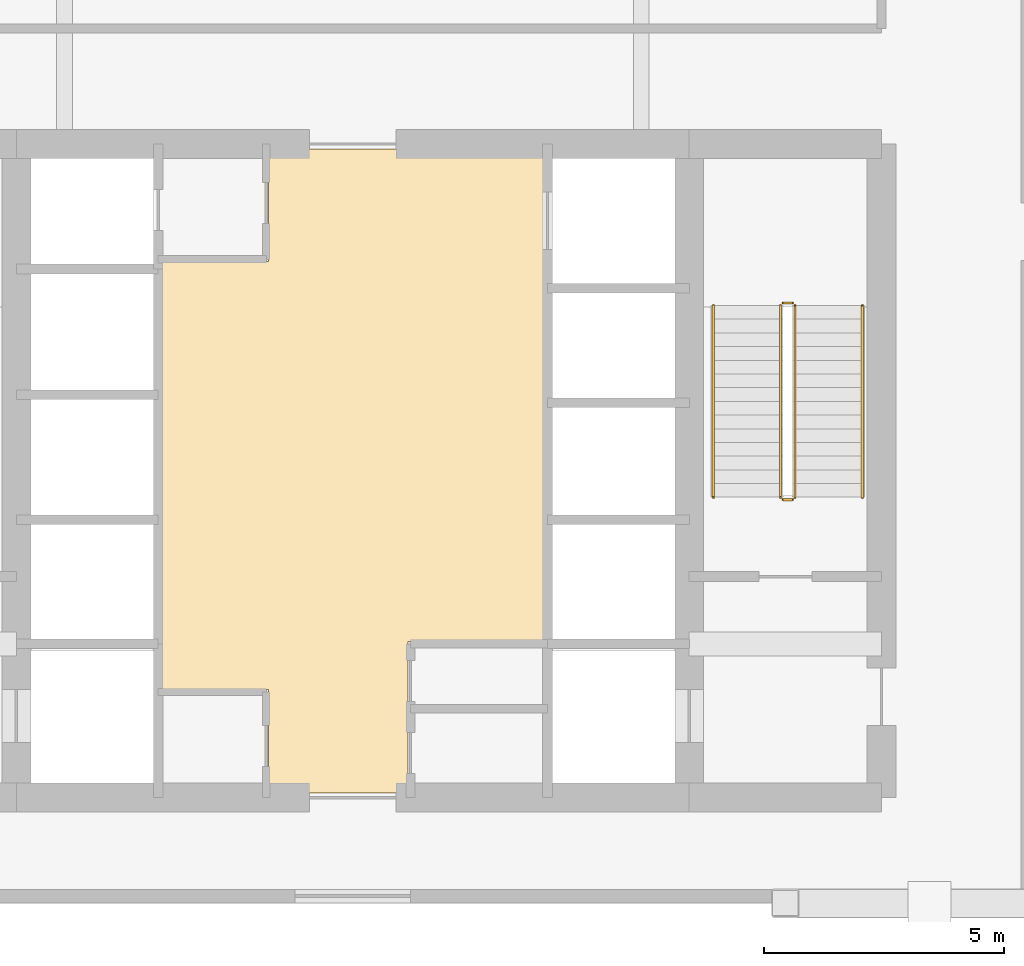
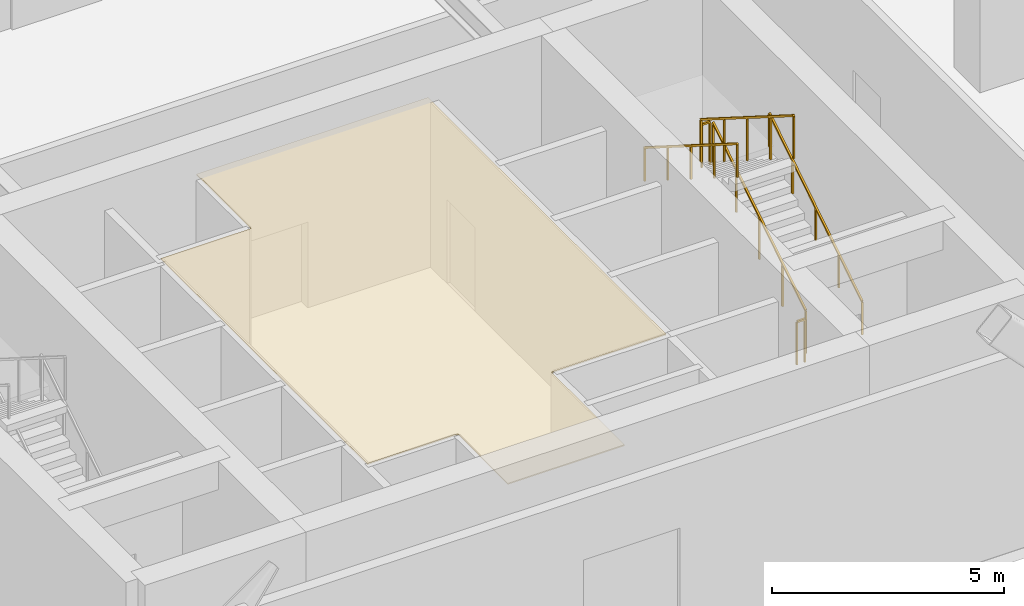
# One storey, part 27 of 28: 6 railings, 1 covering.
"""IFC4 building model written with IfcOpenShell, lengths in metres."""

from ifc_helpers import new_model, si_unit, direction, frame, origin, origin_2d, place, context, subcontext, project, spatial, polyline, rectangle, outline, extrude, material, layer, layer_set, type_object, element, save


model = new_model("IFC4")

# Units and contexts
model_context = context("Model", 3, precision=1e-05, world=origin(), true_north=direction((0.0, 1.0)))
body_context = subcontext(model_context, "Body", "Model", "MODEL_VIEW")
ifc_project = project(units=[si_unit("LENGTHUNIT", "METRE"), si_unit("AREAUNIT", "SQUARE_METRE"), si_unit("VOLUMEUNIT", "CUBIC_METRE"), si_unit("PLANEANGLEUNIT", "RADIAN"), si_unit("MASSUNIT", "GRAM", prefix="KILO")], contexts=[model_context])

# Site, building, storey
site_placement = place(None, origin())
site = spatial("IfcSite", under=ifc_project, at=site_placement, CompositionType="ELEMENT")
building_placement = place(site_placement, origin())
building = spatial("IfcBuilding", under=site, at=building_placement, Name="Sarneth Arch Tower", CompositionType="ELEMENT")
storey_placement = place(building_placement, frame((0.0, 0.0, 6.0)))
storey = spatial("IfcBuildingStorey", under=building, at=storey_placement, Name="L01", CompositionType="ELEMENT", Elevation=6.0)

# Covering
ifc_material_1 = material(Name="Perforated acoustic gypsum ceiling board")
ifc_layer = layer(ifc_material_1, 0.02490234375)
ifc_layer_set = layer_set([ifc_layer], Name="Perforated acoustic gypsum ceiling board")
covering_type = type_object("IfcCoveringType", Name="COV-CEIL-GYP", PredefinedType="CEILING", material=ifc_layer_set)
covering_placement = place(storey_placement, frame((0.0, 0.0, 4.2900390625)))
element("IfcCovering", 1, at=covering_placement, inside=storey, type_object=covering_type, Name="L01 Lift lobby acoustic ceiling", PredefinedType="CEILING", context=body_context, shape_type="SweptSolid", body=[
    extrude(outline(polyline([(49.14990234375, 38.449951171875), (49.14990234375, 35.300048828125), (46.25, 35.300048828125), (46.25, 37.449951171875), (44.0, 37.449951171875), (44.0, 46.35009765625), (46.25, 46.35009765625), (46.25, 48.699951171875), (52.0, 48.699951171875), (52.0, 38.449951171875), (49.14990234375, 38.449951171875)])), origin(), (0.0, 0.0, 1.0), 0.030029296875),
])

# Railings
ifc_material_2 = material(Name="Brushed Stainless Steel 304 tubular handrail", Category="steel")
railing_type_1 = type_object("IfcRailingType", Name="RAIL-HANDRAIL-900", PredefinedType="HANDRAIL", material=ifc_material_2)
railing_1_placement = place(storey_placement, frame((58.60009765625, 41.449951171875, 0.179931640625)))
element("IfcRailing", 2, at=railing_1_placement, inside=storey, type_object=railing_type_1, Name="L01 ST-2 stair handrail 1", PredefinedType="HANDRAIL", context=body_context, shape_type="SweptSolid", body=[
    extrude(rectangle(XDim=0.048095703125, YDim=0.048095703125, at=origin_2d()), frame((0.0, 0.0, 0.8759765625), z_axis=(0.0, 0.845486444383, 0.533996884227), x_axis=(-1.0, 0.0, 0.0)), (0.0, 0.0, 1.0), 4.71923828125),
    extrude(rectangle(XDim=0.0419921875, YDim=0.0419921875, at=origin_2d()), origin(), (0.0, 0.0, 1.0), 0.851806640625),
    extrude(rectangle(XDim=0.0419921875, YDim=0.0419921875, at=origin_2d()), frame((0.0, 0.99755859375, 0.6298828125)), (0.0, 0.0, 1.0), 0.851806640625),
    extrude(rectangle(XDim=0.0419921875, YDim=0.0419921875, at=origin_2d()), frame((0.0, 1.9951171875, 1.260009765625)), (0.0, 0.0, 1.0), 0.851806640625),
    extrude(rectangle(XDim=0.0419921875, YDim=0.0419921875, at=origin_2d()), frame((0.0, 2.992431640625, 1.89013671875)), (0.0, 0.0, 1.0), 0.851806640625),
    extrude(rectangle(XDim=0.0419921875, YDim=0.0419921875, at=origin_2d()), frame((0.0, 3.989990234375, 2.52001953125)), (0.0, 0.0, 1.0), 0.851806640625),
])
railing_2_placement = place(storey_placement, frame((55.5, 45.43994140625, 2.8798828125)))
element("IfcRailing", 3, at=railing_2_placement, inside=storey, type_object=railing_type_1, Name="L01 ST-2 stair handrail 2", PredefinedType="HANDRAIL", context=body_context, shape_type="SweptSolid", body=[
    extrude(rectangle(XDim=0.048095703125, YDim=0.048095703125, at=origin_2d()), frame((0.0, 0.0, 0.8759765625), z_axis=(0.0, -0.845486444383, 0.533996884227), x_axis=(1.0, 0.0, 0.0)), (0.0, 0.0, 1.0), 4.71923828125),
    extrude(rectangle(XDim=0.0419921875, YDim=0.0419921875, at=origin_2d()), origin(), (0.0, 0.0, 1.0), 0.851806640625),
    extrude(rectangle(XDim=0.0419921875, YDim=0.0419921875, at=origin_2d()), frame((0.0, -0.99755859375, 0.6298828125)), (0.0, 0.0, 1.0), 0.851806640625),
    extrude(rectangle(XDim=0.0419921875, YDim=0.0419921875, at=origin_2d()), frame((0.0, -1.9951171875, 1.260009765625)), (0.0, 0.0, 1.0), 0.851806640625),
    extrude(rectangle(XDim=0.0419921875, YDim=0.0419921875, at=origin_2d()), frame((0.0, -2.992431640625, 1.89013671875)), (0.0, 0.0, 1.0), 0.851806640625),
    extrude(rectangle(XDim=0.0419921875, YDim=0.0419921875, at=origin_2d()), frame((0.0, -3.989990234375, 2.52001953125)), (0.0, 0.0, 1.0), 0.851806640625),
])
ifc_material_3 = material(Name="Painted Steel S275 stair well guard", Category="steel")
railing_type_2 = type_object("IfcRailingType", Name="RAIL-STAIR-GUARD", PredefinedType="GUARDRAIL", material=ifc_material_3)
railing_3_placement = place(storey_placement, frame((57.199951171875, 41.449951171875, 0.179931640625)))
element("IfcRailing", 4, at=railing_3_placement, inside=storey, type_object=railing_type_2, Name="L01 ST-2 stair guard 1", PredefinedType="GUARDRAIL", context=body_context, shape_type="SweptSolid", body=[
    extrude(rectangle(XDim=0.048095703125, YDim=0.048095703125, at=origin_2d()), frame((0.0, 0.0, 1.1259765625), z_axis=(0.0, 0.845486444383, 0.533996884227), x_axis=(-1.0, 0.0, 0.0)), (0.0, 0.0, 1.0), 4.71923828125),
    extrude(rectangle(XDim=0.0419921875, YDim=0.0419921875, at=origin_2d()), origin(), (0.0, 0.0, 1.0), 1.101806640625),
    extrude(rectangle(XDim=0.0419921875, YDim=0.0419921875, at=origin_2d()), frame((0.0, 0.99755859375, 0.6298828125)), (0.0, 0.0, 1.0), 1.101806640625),
    extrude(rectangle(XDim=0.0419921875, YDim=0.0419921875, at=origin_2d()), frame((0.0, 1.9951171875, 1.260009765625)), (0.0, 0.0, 1.0), 1.101806640625),
    extrude(rectangle(XDim=0.0419921875, YDim=0.0419921875, at=origin_2d()), frame((0.0, 2.992431640625, 1.89013671875)), (0.0, 0.0, 1.0), 1.101806640625),
    extrude(rectangle(XDim=0.0419921875, YDim=0.0419921875, at=origin_2d()), frame((0.0, 3.989990234375, 2.52001953125)), (0.0, 0.0, 1.0), 1.101806640625),
])
railing_4_placement = place(storey_placement, frame((57.14990234375, 45.489990234375, 2.699951171875)))
element("IfcRailing", 5, at=railing_4_placement, inside=storey, type_object=railing_type_2, Name="L01 ST-2 stair guard 2", PredefinedType="GUARDRAIL", context=body_context, shape_type="SweptSolid", body=[
    extrude(rectangle(XDim=0.048095703125, YDim=0.048095703125, at=origin_2d()), frame((0.0, 0.0, 1.1259765625), z_axis=(-1.0, 0.0, 0.0), x_axis=(0.0, -1.0, 0.0)), (0.0, 0.0, 1.0), 0.199951171875),
    extrude(rectangle(XDim=0.0419921875, YDim=0.0419921875, at=origin_2d()), origin(), (0.0, 0.0, 1.0), 1.101806640625),
    extrude(rectangle(XDim=0.0419921875, YDim=0.0419921875, at=origin_2d()), frame((-0.199951171875, 0.0, 0.0)), (0.0, 0.0, 1.0), 1.101806640625),
])
railing_5_placement = place(storey_placement, frame((56.89990234375, 45.43994140625, 2.8798828125)))
element("IfcRailing", 6, at=railing_5_placement, inside=storey, type_object=railing_type_2, Name="L01 ST-2 stair guard 3", PredefinedType="GUARDRAIL", context=body_context, shape_type="SweptSolid", body=[
    extrude(rectangle(XDim=0.048095703125, YDim=0.048095703125, at=origin_2d()), frame((0.0, 0.0, 1.1259765625), z_axis=(0.0, -0.845486444383, 0.533996884227), x_axis=(1.0, 0.0, 0.0)), (0.0, 0.0, 1.0), 4.71923828125),
    extrude(rectangle(XDim=0.0419921875, YDim=0.0419921875, at=origin_2d()), origin(), (0.0, 0.0, 1.0), 1.101806640625),
    extrude(rectangle(XDim=0.0419921875, YDim=0.0419921875, at=origin_2d()), frame((0.0, -0.99755859375, 0.6298828125)), (0.0, 0.0, 1.0), 1.101806640625),
    extrude(rectangle(XDim=0.0419921875, YDim=0.0419921875, at=origin_2d()), frame((0.0, -1.9951171875, 1.260009765625)), (0.0, 0.0, 1.0), 1.101806640625),
    extrude(rectangle(XDim=0.0419921875, YDim=0.0419921875, at=origin_2d()), frame((0.0, -2.992431640625, 1.89013671875)), (0.0, 0.0, 1.0), 1.101806640625),
    extrude(rectangle(XDim=0.0419921875, YDim=0.0419921875, at=origin_2d()), frame((0.0, -3.989990234375, 2.52001953125)), (0.0, 0.0, 1.0), 1.101806640625),
])
railing_6_placement = place(storey_placement, frame((57.14990234375, 41.39990234375, 0.0)))
element("IfcRailing", 7, at=railing_6_placement, inside=storey, type_object=railing_type_2, Name="L01 ST-2 stair guard 4", PredefinedType="GUARDRAIL", context=body_context, shape_type="SweptSolid", body=[
    extrude(rectangle(XDim=0.048095703125, YDim=0.048095703125, at=origin_2d()), frame((0.0, 0.0, 1.1259765625), z_axis=(-1.0, 0.0, 0.0), x_axis=(0.0, -1.0, 0.0)), (0.0, 0.0, 1.0), 0.199951171875),
    extrude(rectangle(XDim=0.0419921875, YDim=0.0419921875, at=origin_2d()), origin(), (0.0, 0.0, 1.0), 1.101806640625),
    extrude(rectangle(XDim=0.0419921875, YDim=0.0419921875, at=origin_2d()), frame((-0.199951171875, 0.0, 0.0)), (0.0, 0.0, 1.0), 1.101806640625),
])

save(model, "model.ifc")
